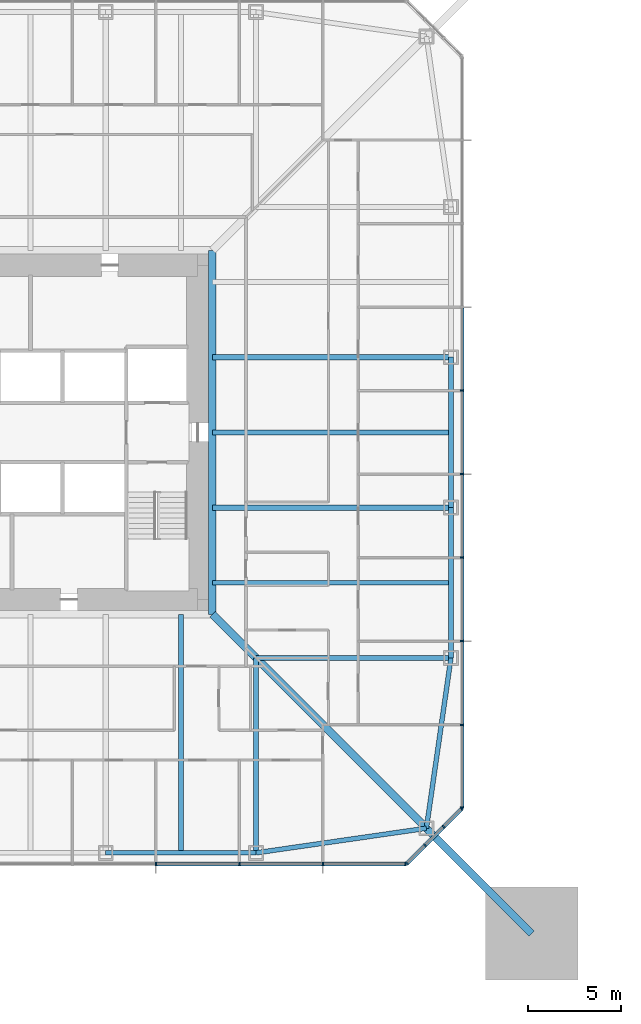
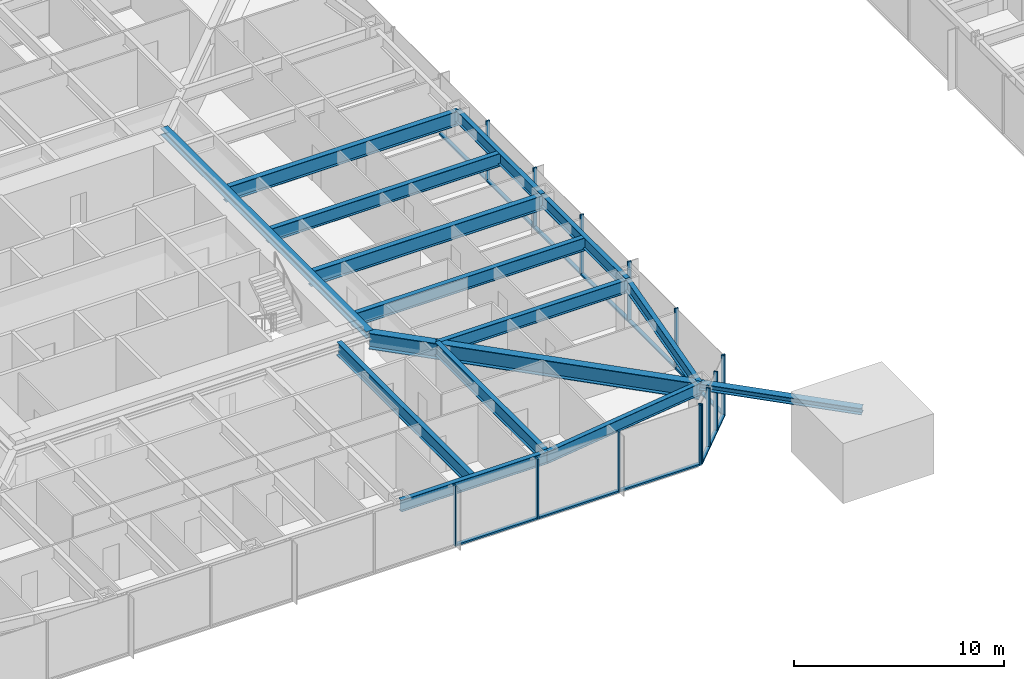
# One storey, part 5 of 26: 27 members, 14 beams, 3 elements without a shape of their own.
"""IFC4 building model written with IfcOpenShell, lengths in metres."""

from ifc_helpers import new_model, si_unit, direction, frame, origin, origin_2d, place, context, subcontext, project, spatial, rectangle, i_section, extrude, material, material_profile, profile_set, type_object, element, aggregate, save


model = new_model("IFC4")

# Units and contexts
model_context = context("Model", 3, precision=1e-05, world=origin(), true_north=direction((0.0, 1.0)))
body_context = subcontext(model_context, "Body", "Model", "MODEL_VIEW")
ifc_project = project(units=[si_unit("LENGTHUNIT", "METRE"), si_unit("AREAUNIT", "SQUARE_METRE"), si_unit("VOLUMEUNIT", "CUBIC_METRE"), si_unit("PLANEANGLEUNIT", "RADIAN"), si_unit("MASSUNIT", "GRAM", prefix="KILO")], contexts=[model_context])

# Site, building, storey
site_placement = place(None, origin())
site = spatial("IfcSite", under=ifc_project, at=site_placement, CompositionType="ELEMENT")
building_placement = place(site_placement, origin())
building = spatial("IfcBuilding", under=site, at=building_placement, Name="Iwan Alto Co-Living Towers", CompositionType="ELEMENT")
storey_placement = place(building_placement, frame((0.0, 0.0, 22.0)))
storey = spatial("IfcBuildingStorey", under=building, at=storey_placement, Name="L05", CompositionType="ELEMENT", Elevation=22.0)

# Curtain wall, members
ifc_material_1 = material(Name="Bronze aluminium unitised frame", Category="aluminium")
curtain_wall_type_1 = type_object("IfcCurtainWallType", Name="CURTAIN WALL CW-A", PredefinedType="NOTDEFINED", material=ifc_material_1)
curtain_wall_1_placement = place(storey_placement, origin())
curtain_wall_1 = element("IfcCurtainWall", 1, at=curtain_wall_1_placement, inside=storey, type_object=curtain_wall_type_1, Name="T1 curtain wall S L05", PredefinedType="NOTDEFINED")
ifc_material_2 = material(Name="Aluminium 6063-T6 bronze anodised", Category="aluminium")
ifc_material_profile_1 = material_profile(ifc_material_2, rectangle(XDim=0.199951171875, YDim=0.080078125, at=origin_2d()), Name="AL 80X200")
ifc_profile_set_1 = profile_set([ifc_material_profile_1], Name="Aluminium 6063-T6 bronze anodised")
member_type_1 = type_object("IfcMemberType", Name="CW-A MULLION 80X200", PredefinedType="MULLION", material=ifc_profile_set_1)
member_1_placement = place(storey_placement, frame((6.75, -23.25, 0.0), z_axis=(0.0, 0.0, 1.0), x_axis=(0.0, 1.0, 0.0)))
member_1 = element("IfcMember", 2, at=member_1_placement, type_object=member_type_1, Name="CW-A mullion 7", PredefinedType="MULLION", context=body_context, shape_type="SweptSolid", body=[
    extrude(rectangle(XDim=0.199951171875, YDim=0.080078125, at=origin_2d()), origin(), (0.0, 0.0, 1.0), 3.5),
])
member_2_placement = place(storey_placement, frame((11.25, -23.25, 0.0), z_axis=(0.0, 0.0, 1.0), x_axis=(0.0, 1.0, 0.0)))
member_2 = element("IfcMember", 3, at=member_2_placement, type_object=member_type_1, Name="CW-A mullion 8", PredefinedType="MULLION", context=body_context, shape_type="SweptSolid", body=[
    extrude(rectangle(XDim=0.199951171875, YDim=0.080078125, at=origin_2d()), origin(), (0.0, 0.0, 1.0), 3.5),
])
member_3_placement = place(storey_placement, frame((15.75, -23.25, 0.0), z_axis=(0.0, 0.0, 1.0), x_axis=(0.0, 1.0, 0.0)))
member_3 = element("IfcMember", 4, at=member_3_placement, type_object=member_type_1, Name="CW-A mullion 9", PredefinedType="MULLION", context=body_context, shape_type="SweptSolid", body=[
    extrude(rectangle(XDim=0.199951171875, YDim=0.080078125, at=origin_2d()), origin(), (0.0, 0.0, 1.0), 3.5),
])
member_4_placement = place(storey_placement, frame((20.2099609375, -23.25, 0.0), z_axis=(0.0, 0.0, 1.0), x_axis=(0.0, 1.0, 0.0)))
member_4 = element("IfcMember", 5, at=member_4_placement, type_object=member_type_1, Name="CW-A mullion 10", PredefinedType="MULLION", context=body_context, shape_type="SweptSolid", body=[
    extrude(rectangle(XDim=0.199951171875, YDim=0.080078125, at=origin_2d()), origin(), (0.0, 0.0, 1.0), 3.5),
])

curtain_wall_2_placement = place(storey_placement, origin())
curtain_wall_2 = element("IfcCurtainWall", 6, at=curtain_wall_2_placement, inside=storey, type_object=curtain_wall_type_1, Name="T1 curtain wall E L05", PredefinedType="NOTDEFINED")
member_5_placement = place(storey_placement, frame((23.25, -20.2099609375, 0.0), z_axis=(0.0, 0.0, 1.0), x_axis=(-1.0, 0.0, 0.0)))
member_5 = element("IfcMember", 7, at=member_5_placement, type_object=member_type_1, Name="CW-A mullion 1", PredefinedType="MULLION", context=body_context, shape_type="SweptSolid", body=[
    extrude(rectangle(XDim=0.199951171875, YDim=0.080078125, at=origin_2d()), origin(), (0.0, 0.0, 1.0), 3.5),
])
member_6_placement = place(storey_placement, frame((23.25, -15.75, 0.0), z_axis=(0.0, 0.0, 1.0), x_axis=(-1.0, 0.0, 0.0)))
member_6 = element("IfcMember", 8, at=member_6_placement, type_object=member_type_1, Name="CW-A mullion 2", PredefinedType="MULLION", context=body_context, shape_type="SweptSolid", body=[
    extrude(rectangle(XDim=0.199951171875, YDim=0.080078125, at=origin_2d()), origin(), (0.0, 0.0, 1.0), 3.5),
])
member_7_placement = place(storey_placement, frame((23.25, -11.25, 0.0), z_axis=(0.0, 0.0, 1.0), x_axis=(-1.0, 0.0, 0.0)))
member_7 = element("IfcMember", 9, at=member_7_placement, type_object=member_type_1, Name="CW-A mullion 3", PredefinedType="MULLION", context=body_context, shape_type="SweptSolid", body=[
    extrude(rectangle(XDim=0.199951171875, YDim=0.080078125, at=origin_2d()), origin(), (0.0, 0.0, 1.0), 3.5),
])
member_8_placement = place(storey_placement, frame((23.25, -6.75, 0.0), z_axis=(0.0, 0.0, 1.0), x_axis=(-1.0, 0.0, 0.0)))
member_8 = element("IfcMember", 10, at=member_8_placement, type_object=member_type_1, Name="CW-A mullion 4", PredefinedType="MULLION", context=body_context, shape_type="SweptSolid", body=[
    extrude(rectangle(XDim=0.199951171875, YDim=0.080078125, at=origin_2d()), origin(), (0.0, 0.0, 1.0), 3.5),
])
member_9_placement = place(storey_placement, frame((23.25, -2.25, 0.0), z_axis=(0.0, 0.0, 1.0), x_axis=(-1.0, 0.0, 0.0)))
member_9 = element("IfcMember", 11, at=member_9_placement, type_object=member_type_1, Name="CW-A mullion 5", PredefinedType="MULLION", context=body_context, shape_type="SweptSolid", body=[
    extrude(rectangle(XDim=0.199951171875, YDim=0.080078125, at=origin_2d()), origin(), (0.0, 0.0, 1.0), 3.5),
])
member_10_placement = place(storey_placement, frame((23.25, 2.25, 0.0), z_axis=(0.0, 0.0, 1.0), x_axis=(-1.0, 0.0, 0.0)))
member_10 = element("IfcMember", 12, at=member_10_placement, type_object=member_type_1, Name="CW-A mullion 6", PredefinedType="MULLION", context=body_context, shape_type="SweptSolid", body=[
    extrude(rectangle(XDim=0.199951171875, YDim=0.080078125, at=origin_2d()), origin(), (0.0, 0.0, 1.0), 3.5),
])

# Member
ifc_material_3 = material(Name="Aluminium 6063-T6 bronze anodised", Category="aluminium")
ifc_material_profile_2 = material_profile(ifc_material_3, rectangle(XDim=0.199951171875, YDim=0.10009765625, at=origin_2d()), Name="AL 200X100")
ifc_profile_set_2 = profile_set([ifc_material_profile_2], Name="Aluminium 6063-T6 bronze anodised")
member_type_2 = type_object("IfcMemberType", Name="CW-A TRANSOM 200X100", PredefinedType="USERDEFINED", material=ifc_profile_set_2)
member_11_placement = place(storey_placement, frame((6.7900390625, -23.25, 0.050048828125), z_axis=(1.0, 0.0, 0.0), x_axis=(0.0, 1.0, 0.0)))
member_11 = element("IfcMember", 13, at=member_11_placement, type_object=member_type_2, Name="CW-A transom 7.1", ObjectType="TRANSOM", PredefinedType="USERDEFINED", context=body_context, shape_type="SweptSolid", body=[
    extrude(rectangle(XDim=0.199951171875, YDim=0.10009765625, at=origin_2d()), origin(), (0.0, 0.0, 1.0), 4.419921875),
])

member_12_placement = place(storey_placement, frame((11.2900390625, -23.25, 0.050048828125), z_axis=(1.0, 0.0, 0.0), x_axis=(0.0, 1.0, 0.0)))
member_12 = element("IfcMember", 14, at=member_12_placement, type_object=member_type_2, Name="CW-A transom 8.1", ObjectType="TRANSOM", PredefinedType="USERDEFINED", context=body_context, shape_type="SweptSolid", body=[
    extrude(rectangle(XDim=0.199951171875, YDim=0.10009765625, at=origin_2d()), origin(), (0.0, 0.0, 1.0), 4.419921875),
])

member_13_placement = place(storey_placement, frame((15.7900390625, -23.25, 0.050048828125), z_axis=(1.0, 0.0, 0.0), x_axis=(0.0, 1.0, 0.0)))
member_13 = element("IfcMember", 15, at=member_13_placement, type_object=member_type_2, Name="CW-A transom 9.1", ObjectType="TRANSOM", PredefinedType="USERDEFINED", context=body_context, shape_type="SweptSolid", body=[
    extrude(rectangle(XDim=0.199951171875, YDim=0.10009765625, at=origin_2d()), origin(), (0.0, 0.0, 1.0), 4.3798828125),
])

aggregate(curtain_wall_1, [member_1, member_2, member_3, member_4, member_11, member_12, member_13])

member_14_placement = place(storey_placement, frame((23.25, -20.169921875, 0.050048828125), z_axis=(0.0, 1.0, 0.0), x_axis=(-1.0, 0.0, 0.0)))
member_14 = element("IfcMember", 16, at=member_14_placement, type_object=member_type_2, Name="CW-A transom 1.1", ObjectType="TRANSOM", PredefinedType="USERDEFINED", context=body_context, shape_type="SweptSolid", body=[
    extrude(rectangle(XDim=0.199951171875, YDim=0.10009765625, at=origin_2d()), origin(), (0.0, 0.0, 1.0), 4.3798828125),
])

member_15_placement = place(storey_placement, frame((23.25, -15.7099609375, 0.050048828125), z_axis=(0.0, 1.0, 0.0), x_axis=(-1.0, 0.0, 0.0)))
member_15 = element("IfcMember", 17, at=member_15_placement, type_object=member_type_2, Name="CW-A transom 2.1", ObjectType="TRANSOM", PredefinedType="USERDEFINED", context=body_context, shape_type="SweptSolid", body=[
    extrude(rectangle(XDim=0.199951171875, YDim=0.10009765625, at=origin_2d()), origin(), (0.0, 0.0, 1.0), 4.419921875),
])

member_16_placement = place(storey_placement, frame((23.25, -11.2099609375, 0.050048828125), z_axis=(0.0, 1.0, 0.0), x_axis=(-1.0, 0.0, 0.0)))
member_16 = element("IfcMember", 18, at=member_16_placement, type_object=member_type_2, Name="CW-A transom 3.1", ObjectType="TRANSOM", PredefinedType="USERDEFINED", context=body_context, shape_type="SweptSolid", body=[
    extrude(rectangle(XDim=0.199951171875, YDim=0.10009765625, at=origin_2d()), origin(), (0.0, 0.0, 1.0), 4.419921875),
])

member_17_placement = place(storey_placement, frame((23.25, -6.7099609375, 0.050048828125), z_axis=(0.0, 1.0, 0.0), x_axis=(-1.0, 0.0, 0.0)))
member_17 = element("IfcMember", 19, at=member_17_placement, type_object=member_type_2, Name="CW-A transom 4.1", ObjectType="TRANSOM", PredefinedType="USERDEFINED", context=body_context, shape_type="SweptSolid", body=[
    extrude(rectangle(XDim=0.199951171875, YDim=0.10009765625, at=origin_2d()), origin(), (0.0, 0.0, 1.0), 4.419921875),
])

member_18_placement = place(storey_placement, frame((23.25, -2.2099609375, 0.050048828125), z_axis=(0.0, 1.0, 0.0), x_axis=(-1.0, 0.0, 0.0)))
member_18 = element("IfcMember", 20, at=member_18_placement, type_object=member_type_2, Name="CW-A transom 5.1", ObjectType="TRANSOM", PredefinedType="USERDEFINED", context=body_context, shape_type="SweptSolid", body=[
    extrude(rectangle(XDim=0.199951171875, YDim=0.10009765625, at=origin_2d()), origin(), (0.0, 0.0, 1.0), 4.419921875),
])

member_19_placement = place(storey_placement, frame((23.25, 2.2900390625, 0.050048828125), z_axis=(0.0, 1.0, 0.0), x_axis=(-1.0, 0.0, 0.0)))
member_19 = element("IfcMember", 21, at=member_19_placement, type_object=member_type_2, Name="CW-A transom 6.1", ObjectType="TRANSOM", PredefinedType="USERDEFINED", context=body_context, shape_type="SweptSolid", body=[
    extrude(rectangle(XDim=0.199951171875, YDim=0.10009765625, at=origin_2d()), origin(), (0.0, 0.0, 1.0), 4.419921875),
])

aggregate(curtain_wall_2, [member_5, member_6, member_7, member_8, member_9, member_10, member_14, member_15, member_16, member_17, member_18, member_19])

# Curtain wall, members
ifc_material_4 = material(Name="Bronze aluminium unitised frame", Category="aluminium")
curtain_wall_type_2 = type_object("IfcCurtainWallType", Name="CURTAIN WALL CW-B", PredefinedType="NOTDEFINED", material=ifc_material_4)
curtain_wall_3_placement = place(storey_placement, origin())
curtain_wall_3 = element("IfcCurtainWall", 22, at=curtain_wall_3_placement, inside=storey, type_object=curtain_wall_type_2, Name="T1 chamfer curtain wall SE L05", PredefinedType="NOTDEFINED")
ifc_material_5 = material(Name="Aluminium 6063-T6 bronze anodised", Category="aluminium")
ifc_material_profile_3 = material_profile(ifc_material_5, rectangle(XDim=0.199951171875, YDim=0.080078125, at=origin_2d()), Name="AL 80X200")
ifc_profile_set_3 = profile_set([ifc_material_profile_3], Name="Aluminium 6063-T6 bronze anodised")
member_type_3 = type_object("IfcMemberType", Name="CW-B MULLION 80X200", PredefinedType="MULLION", material=ifc_profile_set_3)
member_20_placement = place(storey_placement, frame((20.2783203125, -23.2216796875, 0.0), z_axis=(0.0, 0.0, 1.0), x_axis=(-0.707106781187, 0.707106781187, 0.0)))
member_20 = element("IfcMember", 23, at=member_20_placement, type_object=member_type_3, Name="CW-B mullion 1", PredefinedType="MULLION", context=body_context, shape_type="SweptSolid", body=[
    extrude(rectangle(XDim=0.199951171875, YDim=0.080078125, at=origin_2d()), origin(), (0.0, 0.0, 1.0), 3.5),
])
member_21_placement = place(storey_placement, frame((21.25, -22.25, 0.0), z_axis=(0.0, 0.0, 1.0), x_axis=(-0.707106781187, 0.707106781187, 0.0)))
member_21 = element("IfcMember", 24, at=member_21_placement, type_object=member_type_3, Name="CW-B mullion 2", PredefinedType="MULLION", context=body_context, shape_type="SweptSolid", body=[
    extrude(rectangle(XDim=0.199951171875, YDim=0.080078125, at=origin_2d()), origin(), (0.0, 0.0, 1.0), 3.5),
])
member_22_placement = place(storey_placement, frame((22.25, -21.25, 0.0), z_axis=(0.0, 0.0, 1.0), x_axis=(-0.707106781187, 0.707106781187, 0.0)))
member_22 = element("IfcMember", 25, at=member_22_placement, type_object=member_type_3, Name="CW-B mullion 3", PredefinedType="MULLION", context=body_context, shape_type="SweptSolid", body=[
    extrude(rectangle(XDim=0.199951171875, YDim=0.080078125, at=origin_2d()), origin(), (0.0, 0.0, 1.0), 3.5),
])
member_23_placement = place(storey_placement, frame((23.2216796875, -20.2783203125, 0.0), z_axis=(0.0, 0.0, 1.0), x_axis=(-0.707106781187, 0.707106781187, 0.0)))
member_23 = element("IfcMember", 26, at=member_23_placement, type_object=member_type_3, Name="CW-B mullion 4", PredefinedType="MULLION", context=body_context, shape_type="SweptSolid", body=[
    extrude(rectangle(XDim=0.199951171875, YDim=0.080078125, at=origin_2d()), origin(), (0.0, 0.0, 1.0), 3.5),
])
ifc_material_6 = material(Name="Aluminium 6063-T6 bronze anodised", Category="aluminium")
ifc_material_profile_4 = material_profile(ifc_material_6, rectangle(XDim=0.199951171875, YDim=0.10009765625, at=origin_2d()), Name="AL 200X100")
ifc_profile_set_4 = profile_set([ifc_material_profile_4], Name="Aluminium 6063-T6 bronze anodised")
member_type_4 = type_object("IfcMemberType", Name="CW-B TRANSOM 200X100", PredefinedType="USERDEFINED", material=ifc_profile_set_4)
member_24_placement = place(storey_placement, frame((20.306640625, -23.193359375, 0.050048828125), z_axis=(0.707106781187, 0.707106781187, 0.0), x_axis=(-0.707106781187, 0.707106781187, 0.0)))
member_24 = element("IfcMember", 27, at=member_24_placement, type_object=member_type_4, Name="CW-B transom 1.1", ObjectType="TRANSOM", PredefinedType="USERDEFINED", context=body_context, shape_type="SweptSolid", body=[
    extrude(rectangle(XDim=0.199951171875, YDim=0.10009765625, at=origin_2d()), origin(), (0.0, 0.0, 1.0), 1.2939453125),
])
member_25_placement = place(storey_placement, frame((21.2783203125, -22.2216796875, 0.050048828125), z_axis=(0.707106781187, 0.707106781187, 0.0), x_axis=(-0.707106781187, 0.707106781187, 0.0)))
member_25 = element("IfcMember", 28, at=member_25_placement, type_object=member_type_4, Name="CW-B transom 2.1", ObjectType="TRANSOM", PredefinedType="USERDEFINED", context=body_context, shape_type="SweptSolid", body=[
    extrude(rectangle(XDim=0.199951171875, YDim=0.10009765625, at=origin_2d()), origin(), (0.0, 0.0, 1.0), 1.334228515625),
])
member_26_placement = place(storey_placement, frame((22.2783203125, -21.2216796875, 0.050048828125), z_axis=(0.707106781187, 0.707106781187, 0.0), x_axis=(-0.707106781187, 0.707106781187, 0.0)))
member_26 = element("IfcMember", 29, at=member_26_placement, type_object=member_type_4, Name="CW-B transom 3.1", ObjectType="TRANSOM", PredefinedType="USERDEFINED", context=body_context, shape_type="SweptSolid", body=[
    extrude(rectangle(XDim=0.199951171875, YDim=0.10009765625, at=origin_2d()), origin(), (0.0, 0.0, 1.0), 1.2939453125),
])
aggregate(curtain_wall_3, [member_20, member_21, member_22, member_23, member_24, member_25, member_26])

# Beams
ifc_material_7 = material(Name="Steel ASTM A992 Gr 50", Category="steel")
ifc_material_profile_5 = material_profile(ifc_material_7, i_section(OverallWidth=0.40380859375, OverallDepth=0.406494140625, WebThickness=0.027099609375, FlangeThickness=0.043701171875, at=origin_2d()), Name="W14X233")
ifc_profile_set_5 = profile_set([ifc_material_profile_5], Name="Steel ASTM A992 Gr 50")
beam_type_1 = type_object("IfcBeamType", Name="T1 CORE LEDGER BEAM W14X233", PredefinedType="BEAM", material=ifc_profile_set_5)
beam_1_placement = place(storey_placement, frame((9.802001953125, -9.802001953125, 3.06689453125), z_axis=(0.0, 1.0, 0.0), x_axis=(-1.0, 0.0, 0.0)))
element("IfcBeam", 30, at=beam_1_placement, inside=storey, type_object=beam_type_1, Name="T1 core ledger beam E L06", PredefinedType="BEAM", context=body_context, shape_type="SweptSolid", body=[
    extrude(i_section(OverallWidth=0.40380859375, OverallDepth=0.406494140625, WebThickness=0.027099609375, FlangeThickness=0.043701171875, at=origin_2d()), origin(), (0.0, 0.0, 1.0), 19.60400390625),
])
ifc_material_8 = material(Name="Steel ASTM A992 Gr 50", Category="steel")
ifc_material_profile_6 = material_profile(ifc_material_8, i_section(OverallWidth=0.419189453125, OverallDepth=0.927001953125, WebThickness=0.019287109375, FlangeThickness=0.031982421875, at=origin_2d()), Name="W36X231")
ifc_profile_set_6 = profile_set([ifc_material_profile_6], Name="Steel ASTM A992 Gr 50")
beam_type_2 = type_object("IfcBeamType", Name="T1 CORNER GIRDER W36X231", PredefinedType="BEAM", material=ifc_profile_set_6)
beam_2_placement = place(storey_placement, frame((21.32568359375, -21.32568359375, 2.806396484375), z_axis=(-0.707106781187, 0.707106781187, 0.0), x_axis=(-0.707106781187, -0.707106781187, 0.0)))
element("IfcBeam", 31, at=beam_2_placement, inside=storey, type_object=beam_type_2, Name="T1 corner girder CSE L06", PredefinedType="BEAM", context=body_context, shape_type="SweptSolid", body=[
    extrude(i_section(OverallWidth=0.419189453125, OverallDepth=0.927001953125, WebThickness=0.019287109375, FlangeThickness=0.031982421875, at=origin_2d()), origin(), (0.0, 0.0, 1.0), 16.296875),
])
ifc_material_9 = material(Name="Steel ASTM A992 Gr 50", Category="steel")
ifc_material_profile_7 = material_profile(ifc_material_9, i_section(OverallWidth=0.25390625, OverallDepth=0.683349609375, WebThickness=0.012451171875, FlangeThickness=0.018798828125, at=origin_2d()), Name="W27X94")
ifc_profile_set_7 = profile_set([ifc_material_profile_7], Name="Steel ASTM A992 Gr 50")
beam_type_3 = type_object("IfcBeamType", Name="T1 EDGE BEAM W27X94", PredefinedType="BEAM", material=ifc_profile_set_7)
beam_3_placement = place(storey_placement, frame((4.050048828125, -22.64990234375, 2.928466796875), z_axis=(1.0, 0.0, 0.0), x_axis=(0.0, 1.0, 0.0)))
element("IfcBeam", 32, at=beam_3_placement, inside=storey, type_object=beam_type_3, Name="T1 edge beam S3 L06", PredefinedType="BEAM", context=body_context, shape_type="SweptSolid", body=[
    extrude(i_section(OverallWidth=0.25390625, OverallDepth=0.683349609375, WebThickness=0.012451171875, FlangeThickness=0.018798828125, at=origin_2d()), origin(), (0.0, 0.0, 1.0), 8.099853515625),
])
for number, where, z_axis, x_axis, name in (
    (33, (12.14990234375, -22.64990234375, 2.928466796875), (0.989746234347, 0.142836940589, 0.0), (-0.142836940589, 0.989746234347, 0.0), "T1 edge beam S4 L06"),
    (34, (21.32568359375, -21.32568359375, 2.928466796875), (0.142836940589, 0.989746234347, 0.0), (-0.989746234347, 0.142836940589, 0.0), "T1 edge beam CSE L06"),
):
    element("IfcBeam", number, at=place(storey_placement, frame(where, z_axis=z_axis, x_axis=x_axis)), inside=storey, type_object=beam_type_3, Name=name, PredefinedType="BEAM", context=body_context, shape_type="SweptSolid", body=[
        extrude(i_section(OverallWidth=0.25390625, OverallDepth=0.683349609375, WebThickness=0.012451171875, FlangeThickness=0.018798828125, at=origin_2d()), origin(), (0.0, 0.0, 1.0), 9.270751953125),
    ])
beam_4_placement = place(storey_placement, frame((22.64990234375, -12.14990234375, 2.928466796875), z_axis=(0.0, 1.0, 0.0), x_axis=(-1.0, 0.0, 0.0)))
element("IfcBeam", 35, at=beam_4_placement, inside=storey, type_object=beam_type_3, Name="T1 edge beam E1 L06", PredefinedType="BEAM", context=body_context, shape_type="SweptSolid", body=[
    extrude(i_section(OverallWidth=0.25390625, OverallDepth=0.683349609375, WebThickness=0.012451171875, FlangeThickness=0.018798828125, at=origin_2d()), origin(), (0.0, 0.0, 1.0), 8.099853515625),
])
beam_5_placement = place(storey_placement, frame((22.64990234375, -4.050048828125, 2.928466796875), z_axis=(0.0, 1.0, 0.0), x_axis=(-1.0, 0.0, 0.0)))
element("IfcBeam", 36, at=beam_5_placement, inside=storey, type_object=beam_type_3, Name="T1 edge beam E2 L06", PredefinedType="BEAM", context=body_context, shape_type="SweptSolid", body=[
    extrude(i_section(OverallWidth=0.25390625, OverallDepth=0.683349609375, WebThickness=0.012451171875, FlangeThickness=0.018798828125, at=origin_2d()), origin(), (0.0, 0.0, 1.0), 8.10009765625),
])

# Member
ifc_material_10 = material(Name="Steel ASTM A992 Gr 50", Category="steel")
ifc_material_profile_8 = material_profile(ifc_material_10, i_section(OverallWidth=0.393798828125, OverallDepth=0.3759765625, WebThickness=0.017333984375, FlangeThickness=0.027587890625, at=origin_2d()), Name="W14X145")
ifc_profile_set_8 = profile_set([ifc_material_profile_8], Name="Steel ASTM A992 Gr 50")
member_type_5 = type_object("IfcMemberType", Name="T1 MEGA COLUMN FLOOR TIE W14X145", PredefinedType="STRUT", material=ifc_profile_set_8)
member_27_placement = place(storey_placement, frame((27.0, -27.0, 3.08203125), z_axis=(-0.707106781187, 0.707106781187, 0.0), x_axis=(-0.707106781187, -0.707106781187, 0.0)))
element("IfcMember", 37, at=member_27_placement, inside=storey, type_object=member_type_5, Name="T1 mega column floor tie SE L06", PredefinedType="STRUT", context=body_context, shape_type="SweptSolid", body=[
    extrude(i_section(OverallWidth=0.393798828125, OverallDepth=0.3759765625, WebThickness=0.017333984375, FlangeThickness=0.027587890625, at=origin_2d()), origin(), (0.0, 0.0, 1.0), 8.024658203125),
])

# Beams
ifc_material_11 = material(Name="Steel ASTM A992 Gr 50", Category="steel")
ifc_material_profile_9 = material_profile(ifc_material_11, i_section(OverallWidth=0.2666015625, OverallDepth=0.761962890625, WebThickness=0.014404296875, FlangeThickness=0.021484375, at=origin_2d()), Name="W30X116")
ifc_profile_set_9 = profile_set([ifc_material_profile_9], Name="Steel ASTM A992 Gr 50")
beam_type_4 = type_object("IfcBeamType", Name="T1 RADIAL BEAM W30X116", PredefinedType="BEAM", material=ifc_profile_set_9)
for number, where, z_axis, x_axis, name in (
    (38, (12.14990234375, -22.64990234375, 2.888916015625), (0.0, 1.0, 0.0), (-1.0, 0.0, 0.0), "T1 radial beam S4 L06"),
    (39, (22.64990234375, -12.14990234375, 2.888916015625), (-1.0, 0.0, 0.0), (0.0, -1.0, 0.0), "T1 radial beam E1 L06"),
):
    element("IfcBeam", number, at=place(storey_placement, frame(where, z_axis=z_axis, x_axis=x_axis)), inside=storey, type_object=beam_type_4, Name=name, PredefinedType="BEAM", context=body_context, shape_type="SweptSolid", body=[
        extrude(i_section(OverallWidth=0.2666015625, OverallDepth=0.761962890625, WebThickness=0.014404296875, FlangeThickness=0.021484375, at=origin_2d()), origin(), (0.0, 0.0, 1.0), 10.5),
    ])
ifc_material_12 = material(Name="Steel ASTM A992 Gr 50", Category="steel")
ifc_material_profile_10 = material_profile(ifc_material_12, i_section(OverallWidth=0.2919921875, OverallDepth=0.8408203125, WebThickness=0.0146484375, FlangeThickness=0.021728515625, at=origin_2d()), Name="W33X130")
ifc_profile_set_10 = profile_set([ifc_material_profile_10], Name="Steel ASTM A992 Gr 50")
beam_type_5 = type_object("IfcBeamType", Name="T1 RADIAL BEAM W33X130", PredefinedType="BEAM", material=ifc_profile_set_10)
for number, where, z_axis, x_axis, name in (
    (40, (22.64990234375, -4.050048828125, 2.849609375), (-1.0, 0.0, 0.0), (0.0, -1.0, 0.0), "T1 radial beam E2 L06"),
    (41, (22.64990234375, 4.050048828125, 2.849609375), (-1.0, 0.0, 0.0), (0.0, -1.0, 0.0), "T1 radial beam E3 L06"),
):
    element("IfcBeam", number, at=place(storey_placement, frame(where, z_axis=z_axis, x_axis=x_axis)), inside=storey, type_object=beam_type_5, Name=name, PredefinedType="BEAM", context=body_context, shape_type="SweptSolid", body=[
        extrude(i_section(OverallWidth=0.2919921875, OverallDepth=0.8408203125, WebThickness=0.0146484375, FlangeThickness=0.021728515625, at=origin_2d()), origin(), (0.0, 0.0, 1.0), 12.847900390625),
    ])
ifc_material_13 = material(Name="Steel ASTM A992 Gr 50", Category="steel")
ifc_material_profile_11 = material_profile(ifc_material_13, i_section(OverallWidth=0.2666015625, OverallDepth=0.761962890625, WebThickness=0.014404296875, FlangeThickness=0.021484375, at=origin_2d()), Name="W30X116")
ifc_profile_set_11 = profile_set([ifc_material_profile_11], Name="Steel ASTM A992 Gr 50")
beam_type_6 = type_object("IfcBeamType", Name="T1 SECONDARY BEAM W30X116", PredefinedType="JOIST", material=ifc_profile_set_11)
for number, where, z_axis, x_axis, name in (
    (42, (8.10009765625, -22.64990234375, 2.888916015625), (0.0, 1.0, 0.0), (-1.0, 0.0, 0.0), "T1 secondary beam S3 L06"),
    (43, (22.64990234375, -8.10009765625, 2.888916015625), (-1.0, 0.0, 0.0), (0.0, -1.0, 0.0), "T1 secondary beam E1 L06"),
    (44, (22.64990234375, 0.0, 2.888916015625), (-1.0, 0.0, 0.0), (0.0, -1.0, 0.0), "T1 secondary beam E2 L06"),
):
    element("IfcBeam", number, at=place(storey_placement, frame(where, z_axis=z_axis, x_axis=x_axis)), inside=storey, type_object=beam_type_6, Name=name, PredefinedType="JOIST", context=body_context, shape_type="SweptSolid", body=[
        extrude(i_section(OverallWidth=0.2666015625, OverallDepth=0.761962890625, WebThickness=0.014404296875, FlangeThickness=0.021484375, at=origin_2d()), origin(), (0.0, 0.0, 1.0), 12.847900390625),
    ])

save(model, "model.ifc")
